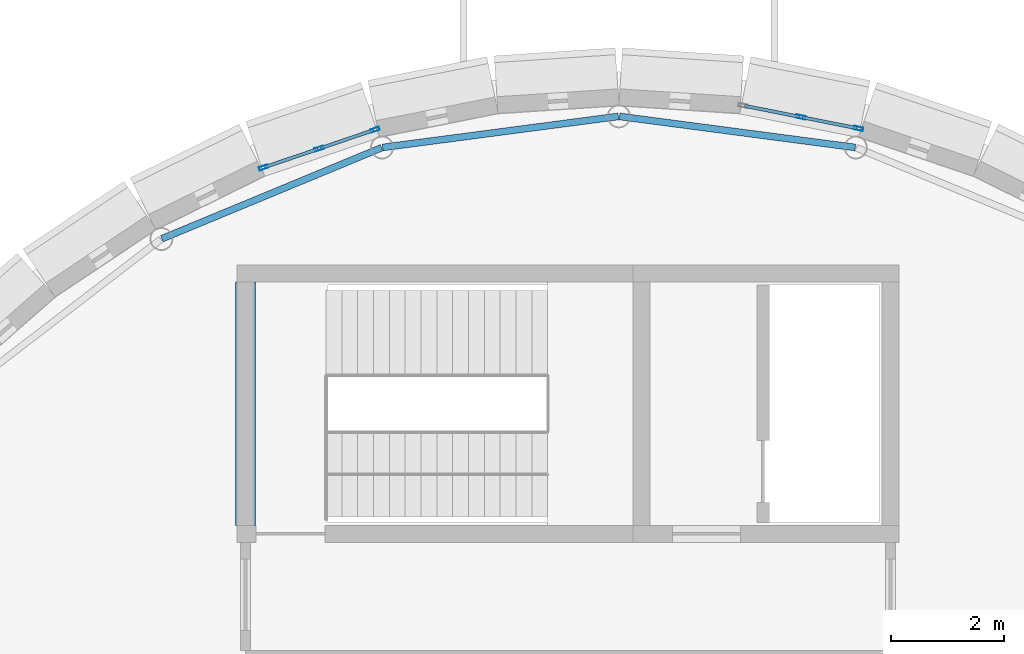
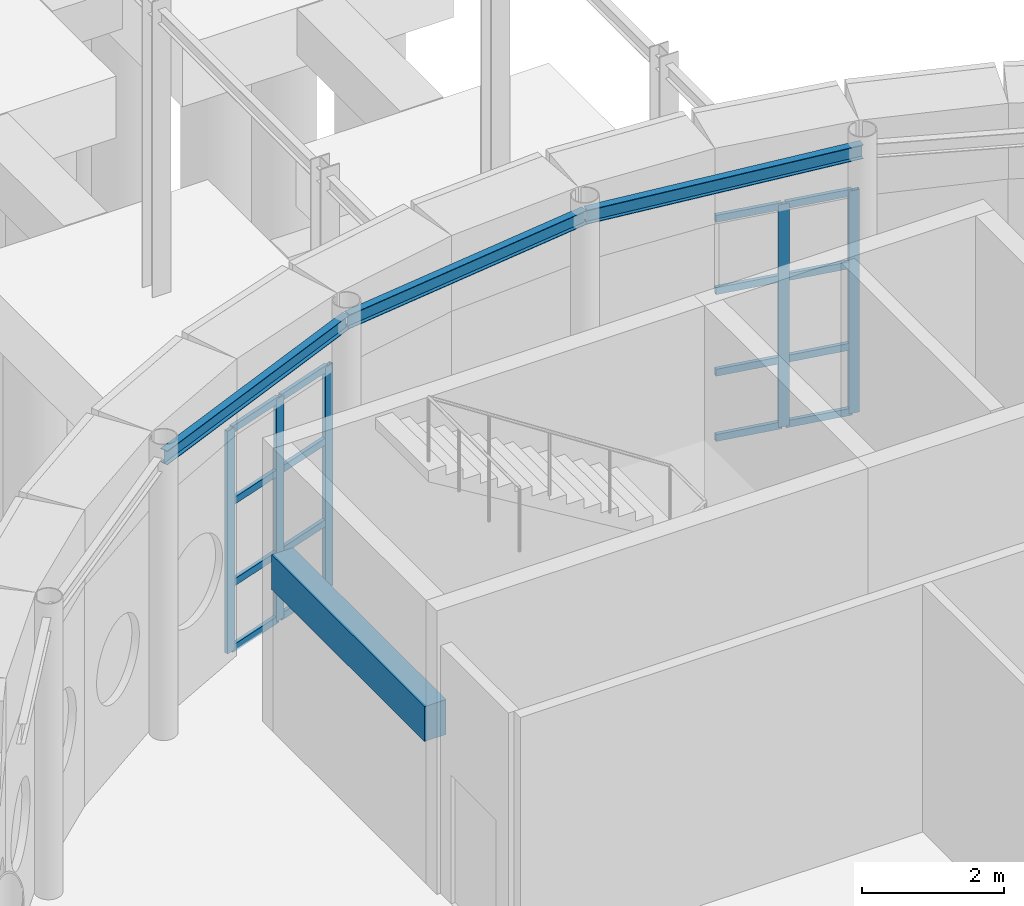
# One storey, part 42 of 109: 21 members, 4 beams, 2 elements without a shape of their own.
"""IFC4 building model written with IfcOpenShell, lengths in metres."""

from ifc_helpers import new_model, si_unit, direction, frame, origin, origin_2d, place, context, subcontext, project, spatial, rectangle, hollow_rectangle, i_section, extrude, material, layer, layer_set, material_profile, profile_set, type_object, element, aggregate, save


model = new_model("IFC4")

# Units and contexts
model_context = context("Model", 3, precision=1e-05, world=origin(), true_north=direction((0.0, 1.0)))
body_context = subcontext(model_context, "Body", "Model", "MODEL_VIEW")
ifc_project = project(units=[si_unit("LENGTHUNIT", "METRE"), si_unit("AREAUNIT", "SQUARE_METRE"), si_unit("VOLUMEUNIT", "CUBIC_METRE"), si_unit("PLANEANGLEUNIT", "RADIAN"), si_unit("MASSUNIT", "GRAM", prefix="KILO")], contexts=[model_context])

# Site, building, storey
site_placement = place(None, origin())
site = spatial("IfcSite", under=ifc_project, at=site_placement, CompositionType="ELEMENT")
building_placement = place(site_placement, origin())
building = spatial("IfcBuilding", under=site, at=building_placement, Name="Montecoro Central Library", CompositionType="ELEMENT")
storey_placement = place(building_placement, origin())
storey = spatial("IfcBuildingStorey", under=building, at=storey_placement, Name="L00", CompositionType="ELEMENT", Elevation=0.0)

# Beams
ifc_material_1 = material(Name="Concrete C35/45", Category="concrete")
ifc_material_profile_1 = material_profile(ifc_material_1, rectangle(XDim=0.35009765625, YDim=0.60009765625, at=origin_2d()), Name="RC LNT 600x350")
ifc_profile_set_1 = profile_set([ifc_material_profile_1], Name="Concrete C35/45")
beam_type_1 = type_object("IfcBeamType", Name="BM-LN-RC01", PredefinedType="LINTEL", material=ifc_profile_set_1)
beam_placement = place(storey_placement, frame((85.0, 44.35009765625, 2.75), z_axis=(0.0, 1.0, 0.0), x_axis=(-1.0, 0.0, 0.0)))
element("IfcBeam", 1, at=beam_placement, inside=storey, type_object=beam_type_1, Name="C1-L00-LNT", PredefinedType="LINTEL", context=body_context, shape_type="SweptSolid", body=[
    extrude(rectangle(XDim=0.35009765625, YDim=0.60009765625, at=origin_2d()), origin(), (0.0, 0.0, 1.0), 4.2998046875),
])
ifc_material_2 = material(Name="Steel S355", Category="steel")
ifc_material_profile_2 = material_profile(ifc_material_2, i_section(OverallWidth=0.1201171875, OverallDepth=0.239990234375, WebThickness=0.006103515625, FlangeThickness=0.009765625, at=origin_2d()), Name="IPE 240")
ifc_profile_set_2 = profile_set([ifc_material_profile_2], Name="Steel S355")
beam_type_2 = type_object("IfcBeamType", Name="BM-SP-IPE240", PredefinedType="SPANDREL", material=ifc_profile_set_2)
for number, where, z_axis, x_axis, name in (
    (2, (95.778076171875, 51.030029296875, 4.72509765625), (-0.99143412197, 0.130607740177, 0.0), (-0.130607740177, -0.99143412197, 0.0), "V1-L00-RING-06"),
    (3, (91.590087890625, 51.5791015625, 4.72509765625), (-0.99143412197, -0.130607740177, 0.0), (0.130607740177, -0.99143412197, 0.0), "V1-L00-RING-07"),
    (4, (87.403076171875, 51.02490234375, 4.72509765625), (-0.923873856706, -0.382697134684, 0.0), (0.382697134684, -0.923873856706, 0.0), "V1-L00-RING-08"),
):
    element("IfcBeam", number, at=place(storey_placement, frame(where, z_axis=z_axis, x_axis=x_axis)), inside=storey, type_object=beam_type_2, Name=name, PredefinedType="SPANDREL", context=body_context, shape_type="SweptSolid", body=[
        extrude(i_section(OverallWidth=0.1201171875, OverallDepth=0.239990234375, WebThickness=0.006103515625, FlangeThickness=0.009765625, at=origin_2d()), origin(), (0.0, 0.0, 1.0), 4.2041015625),
    ])

# Curtain wall, members
ifc_material_3 = material(Name="Bronze-anodised aluminium and low-E glazing", Category="aluminium")
ifc_layer_1 = layer(ifc_material_3, 0.159912109375)
ifc_layer_set_1 = layer_set([ifc_layer_1], Name="Bronze-anodised aluminium and low-E glazing")
curtain_wall_type_1 = type_object("IfcCurtainWallType", Name="CWT-002", PredefinedType="NOTDEFINED", material=ifc_layer_set_1)
curtain_wall_1_placement = place(storey_placement, origin())
curtain_wall_1 = element("IfcCurtainWall", 5, at=curtain_wall_1_placement, inside=storey, type_object=curtain_wall_type_1, Name="V1-L00-CW-11", PredefinedType="NOTDEFINED")
ifc_material_4 = material(Name="Bronze-anodised aluminium", Category="aluminium")
ifc_material_profile_3 = material_profile(ifc_material_4, hollow_rectangle(XDim=0.06005859375, YDim=0.159912109375, WallThickness=0.00390625, at=origin_2d()), Name="CWM 160x60x4.0")
ifc_profile_set_3 = profile_set([ifc_material_profile_3], Name="Bronze-anodised aluminium")
member_type_1 = type_object("IfcMemberType", Name="CWM-BRZ-60", PredefinedType="MULLION", material=ifc_profile_set_3)
member_1_placement = place(storey_placement, frame((95.838623046875, 51.36474609375, 0.0), z_axis=(0.0, 0.0, 1.0), x_axis=(-0.194860889637, -0.980830889445, 0.0)))
member_1 = element("IfcMember", 6, at=member_1_placement, type_object=member_type_1, Name="CW-002 mullion 1", PredefinedType="MULLION", context=body_context, shape_type="SweptSolid", body=[
    extrude(hollow_rectangle(XDim=0.06005859375, YDim=0.159912109375, WallThickness=0.00390625, at=origin_2d()), origin(), (0.0, 0.0, 1.0), 3.820068359375),
])
member_2_placement = place(storey_placement, frame((94.81591796875, 51.568115234375, 0.0), z_axis=(0.0, 0.0, 1.0), x_axis=(-0.194860889637, -0.980830889445, 0.0)))
member_2 = element("IfcMember", 7, at=member_2_placement, type_object=member_type_1, Name="CW-002 mullion 2", PredefinedType="MULLION", context=body_context, shape_type="SweptSolid", body=[
    extrude(hollow_rectangle(XDim=0.06005859375, YDim=0.159912109375, WallThickness=0.00390625, at=origin_2d()), origin(), (0.0, 0.0, 1.0), 3.820068359375),
])

ifc_layer_2 = layer(ifc_material_3, 0.159912109375)
ifc_layer_set_2 = layer_set([ifc_layer_2], Name="Bronze-anodised aluminium and low-E glazing")
curtain_wall_type_2 = type_object("IfcCurtainWallType", Name="CWT-001", PredefinedType="NOTDEFINED", material=ifc_layer_set_2)
curtain_wall_2_placement = place(storey_placement, origin())
curtain_wall_2 = element("IfcCurtainWall", 8, at=curtain_wall_2_placement, inside=storey, type_object=curtain_wall_type_2, Name="V1-L00-CW-15", PredefinedType="NOTDEFINED")
member_3_placement = place(storey_placement, frame((87.28759765625, 51.34423828125, 0.0), z_axis=(0.0, 0.0, 1.0), x_axis=(0.32140092272, -0.946943212064, 0.0)))
member_3 = element("IfcMember", 9, at=member_3_placement, type_object=member_type_1, Name="CW-001 mullion 1", PredefinedType="MULLION", context=body_context, shape_type="SweptSolid", body=[
    extrude(hollow_rectangle(XDim=0.06005859375, YDim=0.159912109375, WallThickness=0.00390625, at=origin_2d()), origin(), (0.0, 0.0, 1.0), 3.820068359375),
])
member_4_placement = place(storey_placement, frame((86.301025390625, 51.009521484375, 0.0), z_axis=(0.0, 0.0, 1.0), x_axis=(0.32140092272, -0.946943212064, 0.0)))
member_4 = element("IfcMember", 10, at=member_4_placement, type_object=member_type_1, Name="CW-001 mullion 2", PredefinedType="MULLION", context=body_context, shape_type="SweptSolid", body=[
    extrude(hollow_rectangle(XDim=0.06005859375, YDim=0.159912109375, WallThickness=0.00390625, at=origin_2d()), origin(), (0.0, 0.0, 1.0), 3.820068359375),
])
member_5_placement = place(storey_placement, frame((85.314453125, 50.674560546875, 0.0), z_axis=(0.0, 0.0, 1.0), x_axis=(0.32140092272, -0.946943212064, 0.0)))
member_5 = element("IfcMember", 11, at=member_5_placement, type_object=member_type_1, Name="CW-001 mullion 3", PredefinedType="MULLION", context=body_context, shape_type="SweptSolid", body=[
    extrude(hollow_rectangle(XDim=0.06005859375, YDim=0.159912109375, WallThickness=0.00390625, at=origin_2d()), origin(), (0.0, 0.0, 1.0), 3.820068359375),
])

# Member
ifc_material_profile_4 = material_profile(ifc_material_4, hollow_rectangle(XDim=0.06005859375, YDim=0.1201171875, WallThickness=0.00390625, at=origin_2d()), Name="CWT 120x60x4.0")
ifc_profile_set_4 = profile_set([ifc_material_profile_4], Name="Bronze-anodised aluminium")
member_type_2 = type_object("IfcMemberType", Name="CWT-BRZ-60", PredefinedType="USERDEFINED", material=ifc_profile_set_4)
member_6_placement = place(storey_placement, frame((95.80908203125, 51.37060546875, 0.030029296875), z_axis=(-0.980790372969, 0.195064718212, 0.0), x_axis=(-0.195064718212, -0.980790372969, 0.0)))
member_6 = element("IfcMember", 12, at=member_6_placement, type_object=member_type_2, Name="CW-002 transom 1.1", ObjectType="TRANSOM", PredefinedType="USERDEFINED", context=body_context, shape_type="SweptSolid", body=[
    extrude(hollow_rectangle(XDim=0.06005859375, YDim=0.1201171875, WallThickness=0.00390625, at=origin_2d()), origin(), (0.0, 0.0, 1.0), 0.982421875),
])

member_7_placement = place(storey_placement, frame((95.80908203125, 51.37060546875, 1.14990234375), z_axis=(-0.980790372969, 0.195064718212, 0.0), x_axis=(-0.195064718212, -0.980790372969, 0.0)))
member_7 = element("IfcMember", 13, at=member_7_placement, type_object=member_type_2, Name="CW-002 transom 1.2", ObjectType="TRANSOM", PredefinedType="USERDEFINED", context=body_context, shape_type="SweptSolid", body=[
    extrude(hollow_rectangle(XDim=0.06005859375, YDim=0.1201171875, WallThickness=0.00390625, at=origin_2d()), origin(), (0.0, 0.0, 1.0), 0.982421875),
])

member_8_placement = place(storey_placement, frame((95.80908203125, 51.37060546875, 2.550048828125), z_axis=(-0.980790372969, 0.195064718212, 0.0), x_axis=(-0.195064718212, -0.980790372969, 0.0)))
member_8 = element("IfcMember", 14, at=member_8_placement, type_object=member_type_2, Name="CW-002 transom 1.3", ObjectType="TRANSOM", PredefinedType="USERDEFINED", context=body_context, shape_type="SweptSolid", body=[
    extrude(hollow_rectangle(XDim=0.06005859375, YDim=0.1201171875, WallThickness=0.00390625, at=origin_2d()), origin(), (0.0, 0.0, 1.0), 0.982421875),
])

member_9_placement = place(storey_placement, frame((95.80908203125, 51.37060546875, 3.7900390625), z_axis=(-0.980790372969, 0.195064718212, 0.0), x_axis=(-0.195064718212, -0.980790372969, 0.0)))
member_9 = element("IfcMember", 15, at=member_9_placement, type_object=member_type_2, Name="CW-002 transom 1.4", ObjectType="TRANSOM", PredefinedType="USERDEFINED", context=body_context, shape_type="SweptSolid", body=[
    extrude(hollow_rectangle(XDim=0.06005859375, YDim=0.1201171875, WallThickness=0.00390625, at=origin_2d()), origin(), (0.0, 0.0, 1.0), 0.982421875),
])

member_10_placement = place(storey_placement, frame((94.78662109375, 51.57373046875, 0.030029296875), z_axis=(-0.980799824622, 0.19501718904, 0.0), x_axis=(-0.19501718904, -0.980799824622, 0.0)))
member_10 = element("IfcMember", 16, at=member_10_placement, type_object=member_type_2, Name="CW-002 transom 2.1", ObjectType="TRANSOM", PredefinedType="USERDEFINED", context=body_context, shape_type="SweptSolid", body=[
    extrude(hollow_rectangle(XDim=0.06005859375, YDim=0.1201171875, WallThickness=0.00390625, at=origin_2d()), origin(), (0.0, 0.0, 1.0), 0.982666015625),
])

member_11_placement = place(storey_placement, frame((94.78662109375, 51.57373046875, 1.14990234375), z_axis=(-0.980799824622, 0.19501718904, 0.0), x_axis=(-0.19501718904, -0.980799824622, 0.0)))
member_11 = element("IfcMember", 17, at=member_11_placement, type_object=member_type_2, Name="CW-002 transom 2.2", ObjectType="TRANSOM", PredefinedType="USERDEFINED", context=body_context, shape_type="SweptSolid", body=[
    extrude(hollow_rectangle(XDim=0.06005859375, YDim=0.1201171875, WallThickness=0.00390625, at=origin_2d()), origin(), (0.0, 0.0, 1.0), 0.982666015625),
])

member_12_placement = place(storey_placement, frame((94.78662109375, 51.57373046875, 2.550048828125), z_axis=(-0.980799824622, 0.19501718904, 0.0), x_axis=(-0.19501718904, -0.980799824622, 0.0)))
member_12 = element("IfcMember", 18, at=member_12_placement, type_object=member_type_2, Name="CW-002 transom 2.3", ObjectType="TRANSOM", PredefinedType="USERDEFINED", context=body_context, shape_type="SweptSolid", body=[
    extrude(hollow_rectangle(XDim=0.06005859375, YDim=0.1201171875, WallThickness=0.00390625, at=origin_2d()), origin(), (0.0, 0.0, 1.0), 0.982666015625),
])

member_13_placement = place(storey_placement, frame((94.78662109375, 51.57373046875, 3.7900390625), z_axis=(-0.980799824622, 0.19501718904, 0.0), x_axis=(-0.19501718904, -0.980799824622, 0.0)))
member_13 = element("IfcMember", 19, at=member_13_placement, type_object=member_type_2, Name="CW-002 transom 2.4", ObjectType="TRANSOM", PredefinedType="USERDEFINED", context=body_context, shape_type="SweptSolid", body=[
    extrude(hollow_rectangle(XDim=0.06005859375, YDim=0.1201171875, WallThickness=0.00390625, at=origin_2d()), origin(), (0.0, 0.0, 1.0), 0.982666015625),
])

aggregate(curtain_wall_1, [member_1, member_2, member_6, member_7, member_8, member_9, member_10, member_11, member_12, member_13])

member_14_placement = place(storey_placement, frame((87.25927734375, 51.334716796875, 0.030029296875), z_axis=(-0.94692871234, -0.321443640078, 0.0), x_axis=(0.321443640078, -0.94692871234, 0.0)))
member_14 = element("IfcMember", 20, at=member_14_placement, type_object=member_type_2, Name="CW-001 transom 1.1", ObjectType="TRANSOM", PredefinedType="USERDEFINED", context=body_context, shape_type="SweptSolid", body=[
    extrude(hollow_rectangle(XDim=0.06005859375, YDim=0.1201171875, WallThickness=0.00390625, at=origin_2d()), origin(), (0.0, 0.0, 1.0), 0.98193359375),
])

member_15_placement = place(storey_placement, frame((87.25927734375, 51.334716796875, 1.14990234375), z_axis=(-0.94692871234, -0.321443640078, 0.0), x_axis=(0.321443640078, -0.94692871234, 0.0)))
member_15 = element("IfcMember", 21, at=member_15_placement, type_object=member_type_2, Name="CW-001 transom 1.2", ObjectType="TRANSOM", PredefinedType="USERDEFINED", context=body_context, shape_type="SweptSolid", body=[
    extrude(hollow_rectangle(XDim=0.06005859375, YDim=0.1201171875, WallThickness=0.00390625, at=origin_2d()), origin(), (0.0, 0.0, 1.0), 0.98193359375),
])

member_16_placement = place(storey_placement, frame((87.25927734375, 51.334716796875, 2.550048828125), z_axis=(-0.94692871234, -0.321443640078, 0.0), x_axis=(0.321443640078, -0.94692871234, 0.0)))
member_16 = element("IfcMember", 22, at=member_16_placement, type_object=member_type_2, Name="CW-001 transom 1.3", ObjectType="TRANSOM", PredefinedType="USERDEFINED", context=body_context, shape_type="SweptSolid", body=[
    extrude(hollow_rectangle(XDim=0.06005859375, YDim=0.1201171875, WallThickness=0.00390625, at=origin_2d()), origin(), (0.0, 0.0, 1.0), 0.98193359375),
])

member_17_placement = place(storey_placement, frame((87.25927734375, 51.334716796875, 3.7900390625), z_axis=(-0.94692871234, -0.321443640078, 0.0), x_axis=(0.321443640078, -0.94692871234, 0.0)))
member_17 = element("IfcMember", 23, at=member_17_placement, type_object=member_type_2, Name="CW-001 transom 1.4", ObjectType="TRANSOM", PredefinedType="USERDEFINED", context=body_context, shape_type="SweptSolid", body=[
    extrude(hollow_rectangle(XDim=0.06005859375, YDim=0.1201171875, WallThickness=0.00390625, at=origin_2d()), origin(), (0.0, 0.0, 1.0), 0.98193359375),
])

member_18_placement = place(storey_placement, frame((86.272705078125, 50.999755859375, 0.030029296875), z_axis=(-0.947004362962, -0.321220697544, 0.0), x_axis=(0.321220697544, -0.947004362962, 0.0)))
member_18 = element("IfcMember", 24, at=member_18_placement, type_object=member_type_2, Name="CW-001 transom 2.1", ObjectType="TRANSOM", PredefinedType="USERDEFINED", context=body_context, shape_type="SweptSolid", body=[
    extrude(hollow_rectangle(XDim=0.06005859375, YDim=0.1201171875, WallThickness=0.00390625, at=origin_2d()), origin(), (0.0, 0.0, 1.0), 0.98193359375),
])

member_19_placement = place(storey_placement, frame((86.272705078125, 50.999755859375, 1.14990234375), z_axis=(-0.947004362962, -0.321220697544, 0.0), x_axis=(0.321220697544, -0.947004362962, 0.0)))
member_19 = element("IfcMember", 25, at=member_19_placement, type_object=member_type_2, Name="CW-001 transom 2.2", ObjectType="TRANSOM", PredefinedType="USERDEFINED", context=body_context, shape_type="SweptSolid", body=[
    extrude(hollow_rectangle(XDim=0.06005859375, YDim=0.1201171875, WallThickness=0.00390625, at=origin_2d()), origin(), (0.0, 0.0, 1.0), 0.98193359375),
])

member_20_placement = place(storey_placement, frame((86.272705078125, 50.999755859375, 2.550048828125), z_axis=(-0.947004362962, -0.321220697544, 0.0), x_axis=(0.321220697544, -0.947004362962, 0.0)))
member_20 = element("IfcMember", 26, at=member_20_placement, type_object=member_type_2, Name="CW-001 transom 2.3", ObjectType="TRANSOM", PredefinedType="USERDEFINED", context=body_context, shape_type="SweptSolid", body=[
    extrude(hollow_rectangle(XDim=0.06005859375, YDim=0.1201171875, WallThickness=0.00390625, at=origin_2d()), origin(), (0.0, 0.0, 1.0), 0.98193359375),
])

member_21_placement = place(storey_placement, frame((86.272705078125, 50.999755859375, 3.7900390625), z_axis=(-0.947004362962, -0.321220697544, 0.0), x_axis=(0.321220697544, -0.947004362962, 0.0)))
member_21 = element("IfcMember", 27, at=member_21_placement, type_object=member_type_2, Name="CW-001 transom 2.4", ObjectType="TRANSOM", PredefinedType="USERDEFINED", context=body_context, shape_type="SweptSolid", body=[
    extrude(hollow_rectangle(XDim=0.06005859375, YDim=0.1201171875, WallThickness=0.00390625, at=origin_2d()), origin(), (0.0, 0.0, 1.0), 0.98193359375),
])

aggregate(curtain_wall_2, [member_3, member_4, member_5, member_14, member_15, member_16, member_17, member_18, member_19, member_20, member_21])

save(model, "model.ifc")
